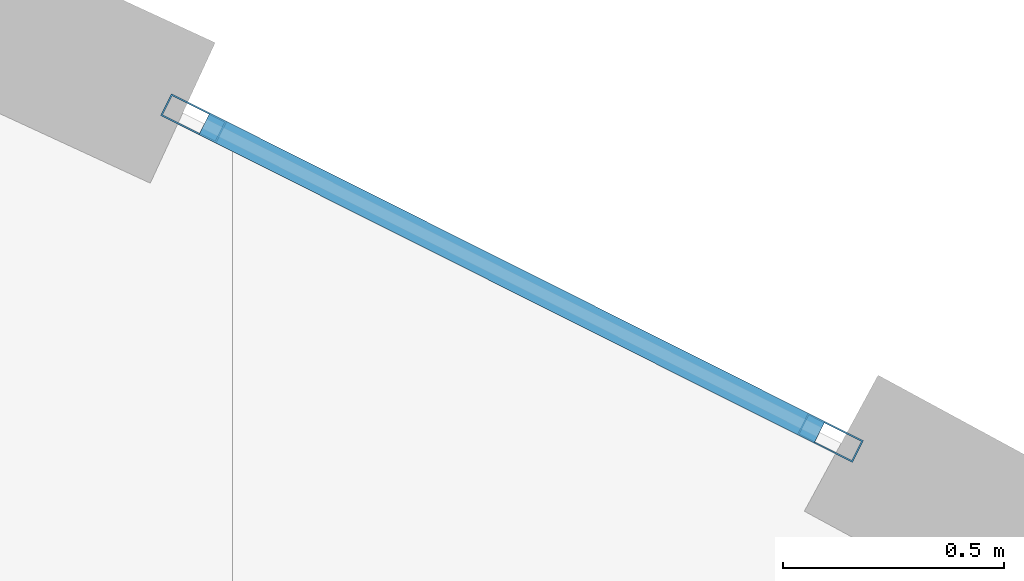
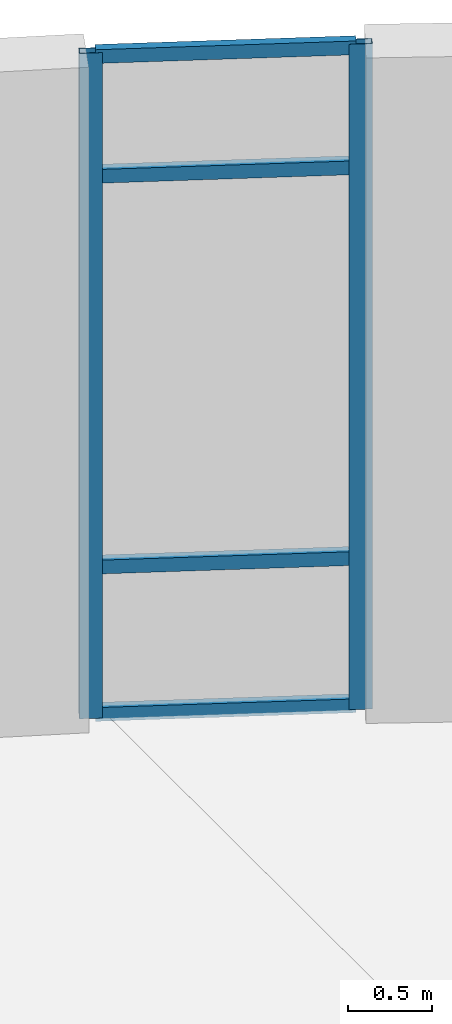
# One storey, part 58 of 104: 6 members, 1 element without a shape of its own.
"""IFC4 building model written with IfcOpenShell, lengths in metres."""

import ifcopenshell
import ifcopenshell.guid

model = None  # the IFC model being written
_history = None  # IfcOwnerHistory: only IFC2X3 demands one
_inside = {}  # id of a spatial element -> (the spatial element, [elements in it])
_under = {}  # id of a project, library or spatial element -> (it, [spatial elements below it])
_declared = {}  # id of a project -> (the project, [libraries it declares])
_typed = {}  # id of a type object -> (the type object, [elements of that type])
_made_of = {}  # id of a material, layer set ... -> (it, [elements and type objects made of it])


def new_model(schema):
    """Start an empty IFC model of exactly this schema.

    Asked for "IFC4X3", IfcOpenShell would pick the latest addendum, in which some entities
    have other attributes; the version numbers below select the first issue.
    IFC2X3 requires an IfcOwnerHistory on every rooted entity: one is made here for all.
    """
    global model, _history
    if schema == "IFC4X3":
        model = ifcopenshell.file(schema_version=(4, 3, 0, 0))
    else:
        model = ifcopenshell.file(schema=schema)
    _inside.clear()
    _under.clear()
    _declared.clear()
    _typed.clear()
    _made_of.clear()
    _history = None
    if model.schema == "IFC2X3":
        org = make("IfcOrganization", Name="unknown")
        user = make(
            "IfcPersonAndOrganization",
            ThePerson=make("IfcPerson", FamilyName="unknown"),
            TheOrganization=org,
        )
        app = make(
            "IfcApplication",
            ApplicationDeveloper=org,
            Version="unknown",
            ApplicationFullName="unknown",
            ApplicationIdentifier="unknown",
        )
        _history = make(
            "IfcOwnerHistory",
            OwningUser=user,
            OwningApplication=app,
            ChangeAction="ADDED",
            CreationDate=0,
        )
    return model


def make(cls, **values):
    """One entity of the class cls with the attributes given. An attribute that is None is left unset."""
    return model.create_entity(
        cls, **{name: value for name, value in values.items() if value is not None}
    )


def rooted(cls, **values):
    """An entity with a GlobalId (a new one), such as an element, a storey or a relation."""
    return make(cls, GlobalId=ifcopenshell.guid.new(), OwnerHistory=_history, **values)


def si_unit(unit_type, name, prefix=None):
    """IfcSIUnit, for example si_unit("LENGTHUNIT", "METRE", prefix="MILLI")."""
    return make("IfcSIUnit", UnitType=unit_type, Prefix=prefix, Name=name)


def assignment(units):
    """IfcUnitAssignment: the units of a project."""
    return None if units is None else make("IfcUnitAssignment", Units=units)


def point(xyz):
    """IfcCartesianPoint."""
    return None if xyz is None else make("IfcCartesianPoint", Coordinates=xyz)


def direction(xyz):
    """IfcDirection."""
    return None if xyz is None else make("IfcDirection", DirectionRatios=xyz)


def frame(location, z_axis=None, x_axis=None):
    """IfcAxis2Placement3D, a coordinate frame: its origin and axes. An axis left out is left unset."""
    return make(
        "IfcAxis2Placement3D",
        Location=point(location),
        Axis=direction(z_axis),
        RefDirection=direction(x_axis),
    )


def frame_2d(location, x_axis=None):
    """IfcAxis2Placement2D, a coordinate frame in the plane: its origin and x axis."""
    return make(
        "IfcAxis2Placement2D", Location=point(location), RefDirection=direction(x_axis)
    )


def origin():
    """The frame at (0, 0, 0) with its axes left unset."""
    return frame((0.0, 0.0, 0.0))


def origin_2d():
    """The frame at (0, 0) in the plane with its x axis left unset."""
    return frame_2d((0.0, 0.0))


def place(relative_to, where):
    """IfcLocalPlacement: puts the frame where relative to a parent placement (None: the world)."""
    return make(
        "IfcLocalPlacement", PlacementRelTo=relative_to, RelativePlacement=where
    )


def context(
    kind, dimensions, precision=None, world=None, true_north=None, identifier=None
):
    """IfcGeometricRepresentationContext, for example the 3D "Model" context."""
    return make(
        "IfcGeometricRepresentationContext",
        ContextIdentifier=identifier,
        ContextType=kind,
        CoordinateSpaceDimension=dimensions,
        Precision=precision,
        WorldCoordinateSystem=world,
        TrueNorth=true_north,
    )


def subcontext(parent, identifier, kind, view, scale=None):
    """IfcGeometricRepresentationSubContext, for example "Body" below "Model"."""
    return make(
        "IfcGeometricRepresentationSubContext",
        ContextIdentifier=identifier,
        ContextType=kind,
        ParentContext=parent,
        TargetScale=scale,
        TargetView=view,
    )


def project(units=None, contexts=None):
    """IfcProject with its units and contexts."""
    return rooted(
        "IfcProject",
        Name="project",
        RepresentationContexts=contexts,
        UnitsInContext=assignment(units),
    )


def spatial(cls, under=None, at=None, **own):
    """A site, building, storey or space (cls), placed at a placement, below another one or the project."""
    s = rooted(cls, ObjectPlacement=at, **own)
    if under is not None:
        _under.setdefault(under.id(), (under, []))[1].append(s)
    return s


def profile(cls, at=None, kind="AREA", **sizes):
    """A parametric profile (cls). Its sizes go by their IFC names, for example OverallWidth=200.0."""
    return make(cls, ProfileType=kind, Position=at, **sizes)


def hollow_rectangle(**sizes):
    """IfcRectangleHollowProfileDef."""
    return profile("IfcRectangleHollowProfileDef", **sizes)


def extrude(swept, where, along, depth):
    """IfcExtrudedAreaSolid: the profile swept, set in the frame where, extruded along a direction by depth."""
    return make(
        "IfcExtrudedAreaSolid",
        SweptArea=swept,
        Position=where,
        ExtrudedDirection=direction(along),
        Depth=depth,
    )


def shape(context_of_items, identifier, shape_type, items):
    """IfcShapeRepresentation: the items that make up one representation, for example the "Body"."""
    return make(
        "IfcShapeRepresentation",
        ContextOfItems=context_of_items,
        RepresentationIdentifier=identifier,
        RepresentationType=shape_type,
        Items=items,
    )


def material(Name=None, Category=None):
    """IfcMaterial."""
    return make("IfcMaterial", Name=Name, Category=Category)


def layer(
    of_material, thickness, ventilated=None, Name=None, Category=None, Priority=None
):
    """IfcMaterialLayer: one layer of a wall or slab, of a material (None: an air gap)."""
    return make(
        "IfcMaterialLayer",
        Material=of_material,
        LayerThickness=thickness,
        IsVentilated=ventilated,
        Name=Name,
        Category=Category,
        Priority=Priority,
    )


def layer_set(layers, Name=None):
    """IfcMaterialLayerSet."""
    return make("IfcMaterialLayerSet", MaterialLayers=layers, LayerSetName=Name)


def material_profile(
    of_material, cross_section, Name=None, Category=None, Priority=None
):
    """IfcMaterialProfile: a cross section and its material."""
    return make(
        "IfcMaterialProfile",
        Name=Name,
        Material=of_material,
        Profile=cross_section,
        Priority=Priority,
        Category=Category,
    )


def profile_set(profiles, Name=None, composite=None):
    """IfcMaterialProfileSet."""
    return make(
        "IfcMaterialProfileSet",
        Name=Name,
        MaterialProfiles=profiles,
        CompositeProfile=composite,
    )


def made_of(thing, what):
    """Note that an element or type object is made of a material, layer set ...; save() writes the relation."""
    if what is not None:
        _made_of.setdefault(what.id(), (what, []))[1].append(thing)
    return thing


def type_object(cls, material=None, **own):
    """A type object (cls), such as IfcWallType, which elements share."""
    return made_of(rooted(cls, **own), material)


def element(
    cls,
    number,
    at=None,
    inside=None,
    cuts=None,
    type_object=None,
    material=None,
    context=None,
    identifier="Body",
    shape_type=None,
    held_by="IfcProductDefinitionShape",
    body=None,
    shapes=None,
    **own,
):
    """One element of the class cls, such as IfcWall. Its Tag is "e" and its number.

    at: its placement. inside: the storey or other place that contains it. cuts: it is an
    opening in that element (IfcRelVoidsElement). A single representation is given by context,
    identifier, shape_type and body (its items); several are given by shapes. held_by: the class
    of the entity that holds the representations. save() writes the other relations.
    """
    e = rooted(cls, Tag="e%d" % number, ObjectPlacement=at, **own)
    if body is not None:
        shapes = [shape(context, identifier, shape_type, body)]
    if shapes is not None:
        e.Representation = make(held_by, Representations=shapes)
    if inside is not None:
        _inside.setdefault(inside.id(), (inside, []))[1].append(e)
    if cuts is not None:
        rooted(
            "IfcRelVoidsElement", RelatingBuildingElement=cuts, RelatedOpeningElement=e
        )
    if type_object is not None:
        _typed.setdefault(type_object.id(), (type_object, []))[1].append(e)
    return made_of(e, material)


def aggregate(whole, parts):
    """IfcRelAggregates: a whole, such as a stair, and the parts it consists of."""
    return rooted("IfcRelAggregates", RelatingObject=whole, RelatedObjects=parts)


def save(model, path):
    """Write the relations noted so far, then the file.

    IfcRelAggregates (storeys below a building ...), IfcRelContainedInSpatialStructure (elements
    in a storey), IfcRelDefinesByType, IfcRelAssociatesMaterial and IfcRelDeclares: one each for
    every whole, place, type object, material and project.
    """
    for whole, parts in _under.values():
        aggregate(whole, parts)
    for where, things in _inside.values():
        rooted(
            "IfcRelContainedInSpatialStructure",
            RelatedElements=things,
            RelatingStructure=where,
        )
    for kind, things in _typed.values():
        rooted("IfcRelDefinesByType", RelatedObjects=things, RelatingType=kind)
    for what, things in _made_of.values():
        rooted("IfcRelAssociatesMaterial", RelatedObjects=things, RelatingMaterial=what)
    for by, libraries in _declared.values():
        rooted("IfcRelDeclares", RelatingContext=by, RelatedDefinitions=libraries)
    model.write(path)


model = new_model("IFC4")

# Units and contexts
model_context = context("Model", 3, precision=1e-05, world=origin(), true_north=direction((0.0, 1.0)))
body_context = subcontext(model_context, "Body", "Model", "MODEL_VIEW")
ifc_project = project(units=[si_unit("LENGTHUNIT", "METRE"), si_unit("AREAUNIT", "SQUARE_METRE"), si_unit("VOLUMEUNIT", "CUBIC_METRE"), si_unit("PLANEANGLEUNIT", "RADIAN"), si_unit("MASSUNIT", "GRAM", prefix="KILO"), si_unit("THERMODYNAMICTEMPERATUREUNIT", "KELVIN")], contexts=[model_context])

# Site, building, storey
site_placement = place(None, origin())
site = spatial("IfcSite", under=ifc_project, at=site_placement, CompositionType="ELEMENT")
building_placement = place(site_placement, origin())
building = spatial("IfcBuilding", under=site, at=building_placement, Name="Lustrewick Department Store", CompositionType="ELEMENT")
storey_placement = place(building_placement, frame((0.0, 0.0, 11.39990234375)))
storey = spatial("IfcBuildingStorey", under=building, at=storey_placement, Name="L03", CompositionType="ELEMENT", Elevation=11.39990234375)

# Curtain wall, members
ifc_material = material(Name="Thermally broken aluminium 6063-T5", Category="aluminium")
ifc_layer = layer(ifc_material, 0.139892578125, Name="Thermally broken aluminium 6063-T5")
ifc_layer_set = layer_set([ifc_layer], Name="Thermally broken aluminium 6063-T5")
curtain_wall_type = type_object("IfcCurtainWallType", Name="CW06", PredefinedType="NOTDEFINED", material=ifc_layer_set)
curtain_wall_placement = place(storey_placement, origin())
curtain_wall = element("IfcCurtainWall", 1, at=curtain_wall_placement, inside=storey, type_object=curtain_wall_type, Name="L03 V4 Curtain Wall CW06", PredefinedType="NOTDEFINED")
ifc_material_profile_1 = material_profile(ifc_material, hollow_rectangle(XDim=0.054931640625, YDim=0.139892578125, WallThickness=0.00341796875, at=origin_2d()), Name="ALU-M 55x140x3.5")
ifc_profile_set_1 = profile_set([ifc_material_profile_1], Name="Thermally broken aluminium 6063-T5")
member_type_1 = type_object("IfcMemberType", Name="CW06-M1", PredefinedType="MULLION", material=ifc_profile_set_1)
member_1_placement = place(storey_placement, frame((140.02734375, 105.715576171875, 0.0), z_axis=(0.0, 0.0, 1.0), x_axis=(-0.448269164132, -0.893898627635, 0.0)))
member_1 = element("IfcMember", 2, at=member_1_placement, type_object=member_type_1, Name="CW06 mullion 1", PredefinedType="MULLION", context=body_context, shape_type="SweptSolid", body=[
    extrude(hollow_rectangle(XDim=0.054931640625, YDim=0.139892578125, WallThickness=0.00341796875, at=origin_2d()), origin(), (0.0, 0.0, 1.0), 4.84521484375),
])
member_2_placement = place(storey_placement, frame((138.586669921875, 106.43798828125, 0.0), z_axis=(0.0, 0.0, 1.0), x_axis=(-0.448269164132, -0.893898627635, 0.0)))
member_2 = element("IfcMember", 3, at=member_2_placement, type_object=member_type_1, Name="CW06 mullion 2", PredefinedType="MULLION", context=body_context, shape_type="SweptSolid", body=[
    extrude(hollow_rectangle(XDim=0.054931640625, YDim=0.139892578125, WallThickness=0.00341796875, at=origin_2d()), origin(), (0.0, 0.0, 1.0), 4.84521484375),
])
ifc_material_profile_2 = material_profile(ifc_material, hollow_rectangle(XDim=0.054931640625, YDim=0.10009765625, WallThickness=0.0029296875, at=origin_2d()), Name="ALU-T 55x100x3")
ifc_profile_set_2 = profile_set([ifc_material_profile_2], Name="Thermally broken aluminium 6063-T5")
member_type_2 = type_object("IfcMemberType", Name="CW06-T1", PredefinedType="USERDEFINED", material=ifc_profile_set_2)
member_3_placement = place(storey_placement, frame((140.0029296875, 105.727783203125, 0.027587890625), z_axis=(-0.89389344943, 0.4482794899, 0.0), x_axis=(-0.4482794899, -0.89389344943, 0.0)))
member_3 = element("IfcMember", 4, at=member_3_placement, type_object=member_type_2, Name="CW06 transom 1.1", ObjectType="TRANSOM", PredefinedType="USERDEFINED", context=body_context, shape_type="SweptSolid", body=[
    extrude(hollow_rectangle(XDim=0.054931640625, YDim=0.10009765625, WallThickness=0.0029296875, at=origin_2d()), origin(), (0.0, 0.0, 1.0), 1.55712890625),
])
member_4_placement = place(storey_placement, frame((140.0029296875, 105.727783203125, 1.10009765625), z_axis=(-0.89389344943, 0.4482794899, 0.0), x_axis=(-0.4482794899, -0.89389344943, 0.0)))
member_4 = element("IfcMember", 5, at=member_4_placement, type_object=member_type_2, Name="CW06 transom 1.2", ObjectType="TRANSOM", PredefinedType="USERDEFINED", context=body_context, shape_type="SweptSolid", body=[
    extrude(hollow_rectangle(XDim=0.054931640625, YDim=0.10009765625, WallThickness=0.0029296875, at=origin_2d()), origin(), (0.0, 0.0, 1.0), 1.55712890625),
])
member_5_placement = place(storey_placement, frame((140.0029296875, 105.727783203125, 3.945068359375), z_axis=(-0.89389344943, 0.4482794899, 0.0), x_axis=(-0.4482794899, -0.89389344943, 0.0)))
member_5 = element("IfcMember", 6, at=member_5_placement, type_object=member_type_2, Name="CW06 transom 1.3", ObjectType="TRANSOM", PredefinedType="USERDEFINED", context=body_context, shape_type="SweptSolid", body=[
    extrude(hollow_rectangle(XDim=0.054931640625, YDim=0.10009765625, WallThickness=0.0029296875, at=origin_2d()), origin(), (0.0, 0.0, 1.0), 1.55712890625),
])
member_6_placement = place(storey_placement, frame((140.0029296875, 105.727783203125, 4.817626953125), z_axis=(-0.89389344943, 0.4482794899, 0.0), x_axis=(-0.4482794899, -0.89389344943, 0.0)))
member_6 = element("IfcMember", 7, at=member_6_placement, type_object=member_type_2, Name="CW06 transom 1.4", ObjectType="TRANSOM", PredefinedType="USERDEFINED", context=body_context, shape_type="SweptSolid", body=[
    extrude(hollow_rectangle(XDim=0.054931640625, YDim=0.10009765625, WallThickness=0.0029296875, at=origin_2d()), origin(), (0.0, 0.0, 1.0), 1.55712890625),
])
aggregate(curtain_wall, [member_1, member_2, member_3, member_4, member_5, member_6])

save(model, "model.ifc")
